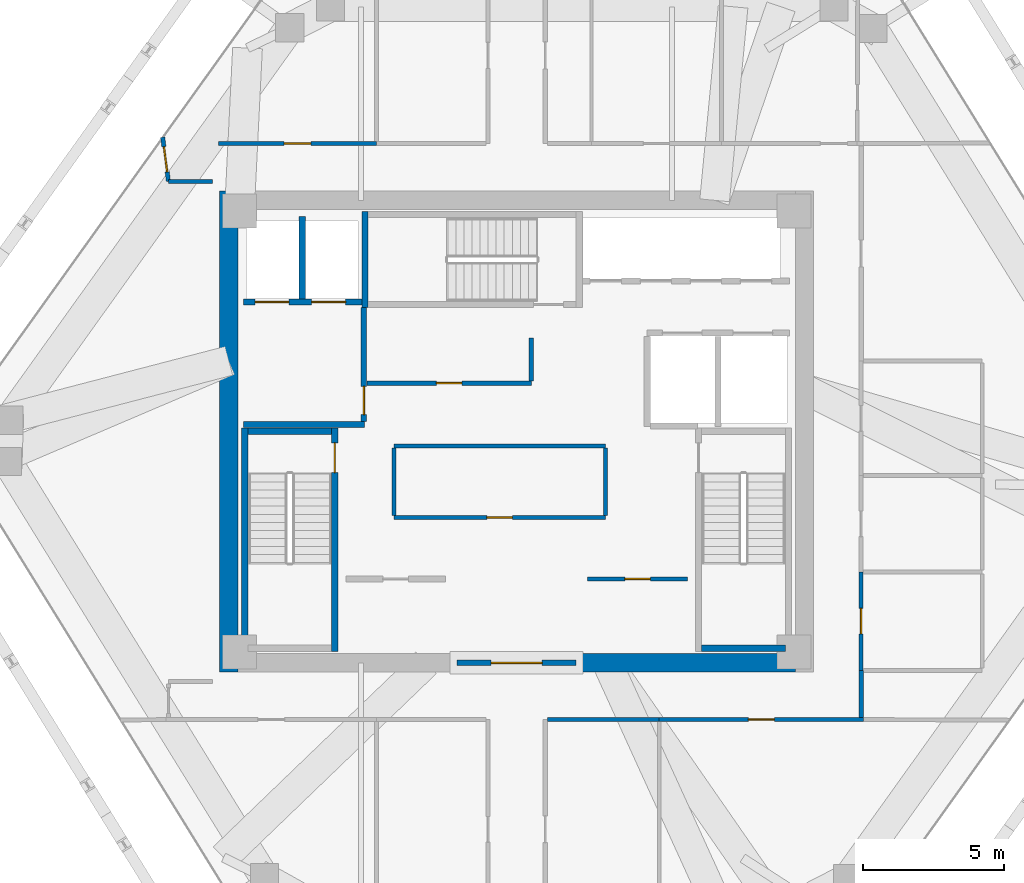
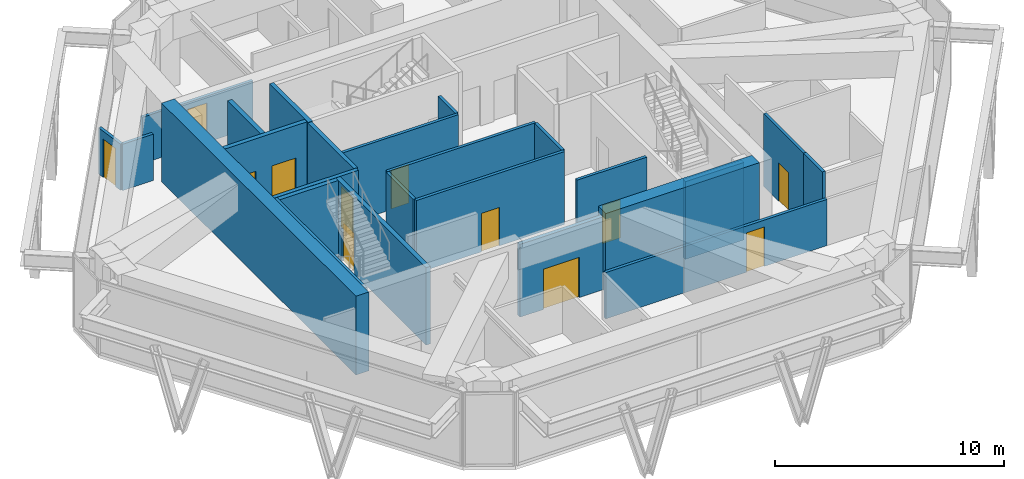
# One storey, part 8 of 11: 26 walls, 12 doors, 12 openings.
"""IFC4 building model written with IfcOpenShell, lengths in metres."""

from ifc_helpers import new_model, si_unit, direction, frame, frame_2d, origin, place, context, subcontext, project, spatial, rectangle, extrude, source, transform, mapped, material, layer, layer_set, type_object, type_shapes, element, fill, save


model = new_model("IFC4")

# Units and contexts
model_context = context("Model", 3, precision=1e-05, world=origin(), true_north=direction((0.0, 1.0)))
body_context = subcontext(model_context, "Body", "Model", "MODEL_VIEW")
ifc_project = project(units=[si_unit("LENGTHUNIT", "METRE"), si_unit("AREAUNIT", "SQUARE_METRE"), si_unit("VOLUMEUNIT", "CUBIC_METRE"), si_unit("PLANEANGLEUNIT", "RADIAN"), si_unit("MASSUNIT", "GRAM", prefix="KILO")], contexts=[model_context])

# Site, building, storey
site_placement = place(None, origin())
site = spatial("IfcSite", under=ifc_project, at=site_placement, CompositionType="ELEMENT")
building_placement = place(site_placement, origin())
building = spatial("IfcBuilding", under=site, at=building_placement, Name="Durnholm Broadcast Tower", CompositionType="ELEMENT")
storey_placement = place(building_placement, frame((0.0, 0.0, 209.199951171875)))
storey = spatial("IfcBuildingStorey", under=building, at=storey_placement, Name="L58", CompositionType="ELEMENT", Elevation=209.199951171875)

# Walls
ifc_material_1 = material(Name="Concrete C70/85", Category="concrete")
ifc_layer_1 = layer(ifc_material_1, 0.64990234375)
ifc_layer_set_1 = layer_set([ifc_layer_1], Name="Concrete C70/85")
wall_type_1 = type_object("IfcWallType", Name="WALL-CW-650", PredefinedType="SHEAR", material=ifc_layer_set_1)
wall_1_placement = place(storey_placement, frame((-10.175048828125, -8.5, 0.0), z_axis=(0.0, 0.0, 1.0), x_axis=(0.0, 1.0, 0.0)))
element("IfcWall", 1, at=wall_1_placement, inside=storey, type_object=wall_type_1, Name="L58 central core shear wall CW-WEST", PredefinedType="SHEAR", context=body_context, shape_type="SweptSolid", body=[
    extrude(rectangle(XDim=17.0, YDim=0.64990234375, at=frame_2d((8.5, 0.0))), origin(), (0.0, 0.0, 1.0), 4.199951171875),
])
wall_2_placement = place(storey_placement, frame((2.10009765625, -8.175048828125, 0.0), z_axis=(0.0, 0.0, 1.0), x_axis=(1.0, 0.0, 0.0)))
element("IfcWall", 2, at=wall_2_placement, inside=storey, type_object=wall_type_1, Name="L58 central core shear wall CW-S2", PredefinedType="SHEAR", context=body_context, shape_type="SweptSolid", body=[
    extrude(rectangle(XDim=7.75, YDim=0.64990234375, at=frame_2d((3.875, 0.0))), origin(), (0.0, 0.0, 1.0), 4.199951171875),
])

# Wall, opening, door
ifc_material_2 = material(Name="Fire-Rated Gypsum Shaftwall", Category="concrete")
ifc_layer_2 = layer(ifc_material_2, 0.199951171875)
ifc_layer_set_2 = layer_set([ifc_layer_2], Name="Fire-Rated Gypsum Shaftwall")
wall_type_2 = type_object("IfcWallType", Name="WALL-LOB-200", PredefinedType="SOLIDWALL", material=ifc_layer_set_2)
wall_3_placement = place(storey_placement, frame((-2.10009765625, -8.175048828125, 0.0), z_axis=(0.0, 0.0, 1.0), x_axis=(1.0, 0.0, 0.0)))
wall_3 = element("IfcWall", 3, at=wall_3_placement, inside=storey, type_object=wall_type_2, Name="L58 south core lobby fire screen", PredefinedType="SOLIDWALL", context=body_context, shape_type="SweptSolid", body=[
    extrude(rectangle(XDim=4.2001953125, YDim=0.199951171875, at=frame_2d((2.10009765625, 0.0))), origin(), (0.0, 0.0, 1.0), 3.885009765625),
])
opening_1_placement = place(wall_3_placement, frame((1.199951171875, 0.0, 0.0)))
opening_1 = element("IfcOpeningElement", 4, at=opening_1_placement, cuts=wall_3, Name="Opening DP-60", PredefinedType="OPENING", context=body_context, shape_type="SweptSolid", body=[
    extrude(rectangle(XDim=1.800048828125, YDim=2.14990234375, at=frame_2d((0.89990234375, 1.074951171875))), frame((0.0, 0.10986328125, 0.0), z_axis=(0.0, -1.0, 0.0), x_axis=(1.0, 0.0, 0.0)), (0.0, 0.0, 1.0), 0.219970703125),
])
ifc_material_3 = material(Name="Fire-Rated Double Corridor Door", Category="steel")
ifc_layer_3 = layer(ifc_material_3, 0.050048828125)
ifc_layer_set_3 = layer_set([ifc_layer_3], Name="Fire-Rated Double Corridor Door")
door_type_1 = type_object("IfcDoorType", Name="DOOR-PAIR-FD60", OperationType="DOUBLE_DOOR_SINGLE_SWING", PredefinedType="DOOR", material=ifc_layer_set_3)
shared_shape_1 = source(origin(), body_context, "Body", "SweptSolid", [
    extrude(rectangle(XDim=1.800048828125, YDim=2.14990234375, at=frame_2d((0.89990234375, 1.074951171875))), frame((0.0, 0.02490234375, 0.0), z_axis=(0.0, -1.0, 0.0), x_axis=(1.0, 0.0, 0.0)), (0.0, 0.0, 1.0), 0.050048828125),
])
type_shapes(door_type_1, [shared_shape_1])
door_1_placement = place(opening_1_placement, origin())
door_1 = element("IfcDoor", 5, at=door_1_placement, inside=storey, type_object=door_type_1, Name="L58 south core lobby double fire door", OperationType="DOUBLE_DOOR_SINGLE_SWING", OverallHeight=2.14990234375, OverallWidth=1.800048828125, PredefinedType="DOOR", context=body_context, shape_type="MappedRepresentation", body=[
    mapped(shared_shape_1, transform((0.0, 0.0, 0.0), x_axis=(1.0, 0.0, 0.0), y_axis=(0.0, 1.0, 0.0), z_axis=(0.0, 0.0, 1.0), scale=1.0)),
])
fill(opening_1, door_1)

# Wall
wall_4_placement = place(storey_placement, frame((-9.64990234375, 0.25, 0.0), z_axis=(0.0, 0.0, 1.0), x_axis=(1.0, 0.0, 0.0)))
element("IfcWall", 6, at=wall_4_placement, inside=storey, type_object=wall_type_2, Name="L58 Fire Service Access Elevator lobby south wall", PredefinedType="SOLIDWALL", context=body_context, shape_type="SweptSolid", body=[
    extrude(rectangle(XDim=4.27001953125, YDim=0.199951171875, at=frame_2d((2.135009765625, 0.0))), origin(), (0.0, 0.0, 1.0), 3.885009765625),
])

# Wall, opening, door
wall_5_placement = place(storey_placement, frame((-5.39990234375, 0.35400390625, 0.0), z_axis=(0.0, 0.0, 1.0), x_axis=(0.0, 1.0, 0.0)))
wall_5 = element("IfcWall", 7, at=wall_5_placement, inside=storey, type_object=wall_type_2, Name="L58 Fire Service Access Elevator lobby east fire wall", PredefinedType="SOLIDWALL", context=body_context, shape_type="SweptSolid", body=[
    extrude(rectangle(XDim=4.02587890625, YDim=0.199951171875, at=frame_2d((2.012939453125, 0.0))), origin(), (0.0, 0.0, 1.0), 3.885009765625),
])
opening_2_placement = place(wall_5_placement, frame((0.24609375, 0.0, 0.0)))
opening_2 = element("IfcOpeningElement", 8, at=opening_2_placement, cuts=wall_5, Name="Opening DL-60L", PredefinedType="OPENING", context=body_context, shape_type="SweptSolid", body=[
    extrude(rectangle(XDim=1.0, YDim=2.14990234375, at=frame_2d((0.5, 1.074951171875))), frame((0.0, 0.10986328125, 0.0), z_axis=(0.0, -1.0, 0.0), x_axis=(1.0, 0.0, 0.0)), (0.0, 0.0, 1.0), 0.219970703125),
])
ifc_material_4 = material(Name="Fire-Rated Timber/Steel Door", Category="steel")
ifc_layer_4 = layer(ifc_material_4, 0.050048828125)
ifc_layer_set_4 = layer_set([ifc_layer_4], Name="Fire-Rated Timber/Steel Door")
door_type_2 = type_object("IfcDoorType", Name="DOOR-LOB-FD60-L", OperationType="NOTDEFINED", PredefinedType="DOOR", material=ifc_layer_set_4)
shared_shape_2 = source(origin(), body_context, "Body", "SweptSolid", [
    extrude(rectangle(XDim=1.0, YDim=2.14990234375, at=frame_2d((0.5, 1.074951171875))), frame((0.0, 0.02490234375, 0.0), z_axis=(0.0, -1.0, 0.0), x_axis=(1.0, 0.0, 0.0)), (0.0, 0.0, 1.0), 0.050048828125),
])
type_shapes(door_type_2, [shared_shape_2])
door_2_placement = place(opening_2_placement, origin())
door_2 = element("IfcDoor", 9, at=door_2_placement, inside=storey, type_object=door_type_2, Name="L58 Fire Service Access Elevator lobby smoke door", OperationType="SINGLE_SWING_LEFT", OverallHeight=2.14990234375, OverallWidth=1.0, PredefinedType="DOOR", context=body_context, shape_type="MappedRepresentation", body=[
    mapped(shared_shape_2, transform((0.0, 0.0, 0.0), x_axis=(1.0, 0.0, 0.0), y_axis=(0.0, 1.0, 0.0), z_axis=(0.0, 0.0, 1.0), scale=1.0)),
])
fill(opening_2, door_2)

ifc_material_5 = material(Name="Acoustic Gypsum Stud Partition", Category="concrete")
ifc_layer_5 = layer(ifc_material_5, 0.14990234375)
ifc_layer_set_5 = layer_set([ifc_layer_5], Name="Acoustic Gypsum Stud Partition")
wall_type_3 = type_object("IfcWallType", Name="WALL-PART-150", PredefinedType="PARTITIONING", material=ifc_layer_set_5)
wall_6_placement = place(storey_placement, frame((2.510009765625, -5.2099609375, 0.0), z_axis=(0.0, 0.0, 1.0), x_axis=(1.0, 0.0, 0.0)))
wall_6 = element("IfcWall", 10, at=wall_6_placement, inside=storey, type_object=wall_type_3, Name="L58 Editorial Beverage Pantry corridor partition", PredefinedType="PARTITIONING", context=body_context, shape_type="SweptSolid", body=[
    extrude(rectangle(XDim=3.530029296875, YDim=0.14990234375, at=frame_2d((1.76513671875, 0.0))), origin(), (0.0, 0.0, 1.0), 3.885009765625),
])
opening_3_placement = place(wall_6_placement, frame((1.31494140625, 0.0, 0.0)))
opening_3 = element("IfcOpeningElement", 11, at=opening_3_placement, cuts=wall_6, Name="Opening DC-60L", PredefinedType="OPENING", context=body_context, shape_type="SweptSolid", body=[
    extrude(rectangle(XDim=0.89990234375, YDim=2.050048828125, at=frame_2d((0.449951171875, 1.02490234375))), frame((0.0, 0.0849609375, 0.0), z_axis=(0.0, -1.0, 0.0), x_axis=(1.0, 0.0, 0.0)), (0.0, 0.0, 1.0), 0.169921875),
])
ifc_material_6 = material(Name="Fire-Rated Core Service Door", Category="steel")
ifc_layer_6 = layer(ifc_material_6, 0.050048828125)
ifc_layer_set_6 = layer_set([ifc_layer_6], Name="Fire-Rated Core Service Door")
door_type_3 = type_object("IfcDoorType", Name="DOOR-CORE-FD60-L", OperationType="NOTDEFINED", PredefinedType="DOOR", material=ifc_layer_set_6)
shared_shape_3 = source(origin(), body_context, "Body", "SweptSolid", [
    extrude(rectangle(XDim=0.89990234375, YDim=2.050048828125, at=frame_2d((0.449951171875, 1.02490234375))), frame((0.0, 0.02490234375, 0.0), z_axis=(0.0, -1.0, 0.0), x_axis=(1.0, 0.0, 0.0)), (0.0, 0.0, 1.0), 0.050048828125),
])
type_shapes(door_type_3, [shared_shape_3])
door_3_placement = place(opening_3_placement, origin())
door_3 = element("IfcDoor", 12, at=door_3_placement, inside=storey, type_object=door_type_3, Name="L58 Editorial Beverage Pantry entrance door", OperationType="SINGLE_SWING_LEFT", OverallHeight=2.050048828125, OverallWidth=0.89990234375, PredefinedType="DOOR", context=body_context, shape_type="MappedRepresentation", body=[
    mapped(shared_shape_3, transform((0.0, 0.0, 0.0), x_axis=(1.0, 0.0, 0.0), y_axis=(0.0, 1.0, 0.0), z_axis=(0.0, 0.0, 1.0), scale=1.0)),
])
fill(opening_3, door_3)

wall_7_placement = place(storey_placement, frame((3.139892578125, -3.0400390625, 0.0), z_axis=(0.0, 0.0, 1.0), x_axis=(-1.0, 0.0, 0.0)))
wall_7 = element("IfcWall", 13, at=wall_7_placement, inside=storey, type_object=wall_type_3, Name="L58 Broadcast Equipment Pantry corridor partition", PredefinedType="PARTITIONING", context=body_context, shape_type="SweptSolid", body=[
    extrude(rectangle(XDim=7.47998046875, YDim=0.14990234375, at=frame_2d((3.739990234375, 0.0))), origin(), (0.0, 0.0, 1.0), 3.885009765625),
])
opening_4_placement = place(wall_7_placement, frame((3.2900390625, 0.0, 0.0)))
opening_4 = element("IfcOpeningElement", 14, at=opening_4_placement, cuts=wall_7, Name="Opening DC-60R", PredefinedType="OPENING", context=body_context, shape_type="SweptSolid", body=[
    extrude(rectangle(XDim=0.89990234375, YDim=2.050048828125, at=frame_2d((0.449951171875, 1.02490234375))), frame((0.0, 0.0849609375, 0.0), z_axis=(0.0, -1.0, 0.0), x_axis=(1.0, 0.0, 0.0)), (0.0, 0.0, 1.0), 0.169921875),
])
ifc_layer_7 = layer(ifc_material_6, 0.050048828125)
ifc_layer_set_7 = layer_set([ifc_layer_7], Name="Fire-Rated Core Service Door")
door_type_4 = type_object("IfcDoorType", Name="DOOR-CORE-FD60-R", OperationType="NOTDEFINED", PredefinedType="DOOR", material=ifc_layer_set_7)
shared_shape_4 = source(origin(), body_context, "Body", "SweptSolid", [
    extrude(rectangle(XDim=0.89990234375, YDim=2.050048828125, at=frame_2d((0.449951171875, 1.02490234375))), frame((0.0, 0.02490234375, 0.0), z_axis=(0.0, -1.0, 0.0), x_axis=(1.0, 0.0, 0.0)), (0.0, 0.0, 1.0), 0.050048828125),
])
type_shapes(door_type_4, [shared_shape_4])
door_4_placement = place(opening_4_placement, origin())
door_4 = element("IfcDoor", 15, at=door_4_placement, inside=storey, type_object=door_type_4, Name="L58 Broadcast Equipment Pantry entrance door", OperationType="SINGLE_SWING_RIGHT", OverallHeight=2.050048828125, OverallWidth=0.89990234375, PredefinedType="DOOR", context=body_context, shape_type="MappedRepresentation", body=[
    mapped(shared_shape_4, transform((0.0, 0.0, 0.0), x_axis=(1.0, 0.0, 0.0), y_axis=(0.0, 1.0, 0.0), z_axis=(0.0, 0.0, 1.0), scale=1.0)),
])
fill(opening_4, door_4)

# Walls
wall_8_placement = place(storey_placement, frame((-4.340087890625, -0.510009765625, 0.0), z_axis=(0.0, 0.0, 1.0), x_axis=(1.0, 0.0, 0.0)))
element("IfcWall", 16, at=wall_8_placement, inside=storey, type_object=wall_type_3, Name="L58 Broadcast Equipment Pantry corridor partition", PredefinedType="PARTITIONING", context=body_context, shape_type="SweptSolid", body=[
    extrude(rectangle(XDim=7.47998046875, YDim=0.14990234375, at=frame_2d((3.739990234375, 0.0))), origin(), (0.0, 0.0, 1.0), 3.885009765625),
])
for number, where, z_axis, x_axis, name in (
    (17, (-4.340087890625, -2.9609375, 0.0), (0.0, 0.0, 1.0), (0.0, 1.0, 0.0), "L58 Broadcast Equipment Pantry corridor partition"),
    (18, (3.139892578125, -0.589111328125, 0.0), (0.0, 0.0, 1.0), (0.0, -1.0, 0.0), "L58 Broadcast Equipment Pantry corridor partition"),
):
    element("IfcWall", number, at=place(storey_placement, frame(where, z_axis=z_axis, x_axis=x_axis)), inside=storey, type_object=wall_type_3, Name=name, PredefinedType="PARTITIONING", context=body_context, shape_type="SweptSolid", body=[
        extrude(rectangle(XDim=2.371826171875, YDim=0.14990234375, at=frame_2d((1.18603515625, 0.0))), origin(), (0.0, 0.0, 1.0), 3.885009765625),
    ])

# Wall, opening, door
wall_9_placement = place(storey_placement, frame((0.52001953125, 1.7099609375, 0.0), z_axis=(0.0, 0.0, 1.0), x_axis=(-1.0, 0.0, 0.0)))
wall_9 = element("IfcWall", 19, at=wall_9_placement, inside=storey, type_object=wall_type_3, Name="L58 Core Housekeeping Room corridor partition", PredefinedType="PARTITIONING", context=body_context, shape_type="SweptSolid", body=[
    extrude(rectangle(XDim=5.81591796875, YDim=0.14990234375, at=frame_2d((2.907958984375, 0.0))), origin(), (0.0, 0.0, 1.0), 3.885009765625),
])
opening_5_placement = place(wall_9_placement, frame((2.4580078125, 0.0, 0.0)))
opening_5 = element("IfcOpeningElement", 20, at=opening_5_placement, cuts=wall_9, Name="Opening DC-60L", PredefinedType="OPENING", context=body_context, shape_type="SweptSolid", body=[
    extrude(rectangle(XDim=0.89990234375, YDim=2.050048828125, at=frame_2d((0.449951171875, 1.02490234375))), frame((0.0, 0.0849609375, 0.0), z_axis=(0.0, -1.0, 0.0), x_axis=(1.0, 0.0, 0.0)), (0.0, 0.0, 1.0), 0.169921875),
])
door_5_placement = place(opening_5_placement, origin())
door_5 = element("IfcDoor", 21, at=door_5_placement, inside=storey, type_object=door_type_3, Name="L58 Core Housekeeping Room entrance door", OperationType="SINGLE_SWING_LEFT", OverallHeight=2.050048828125, OverallWidth=0.89990234375, PredefinedType="DOOR", context=body_context, shape_type="MappedRepresentation", body=[
    mapped(shared_shape_3, transform((0.0, 0.0, 0.0), x_axis=(1.0, 0.0, 0.0), y_axis=(0.0, 1.0, 0.0), z_axis=(0.0, 0.0, 1.0), scale=1.0)),
])
fill(opening_5, door_5)

# Wall
wall_10_placement = place(storey_placement, frame((0.52001953125, 3.300048828125, 0.0), z_axis=(0.0, 0.0, 1.0), x_axis=(0.0, -1.0, 0.0)))
element("IfcWall", 22, at=wall_10_placement, inside=storey, type_object=wall_type_3, Name="L58 Core Housekeeping Room corridor partition", PredefinedType="PARTITIONING", context=body_context, shape_type="SweptSolid", body=[
    extrude(rectangle(XDim=1.510986328125, YDim=0.14990234375, at=frame_2d((0.75537109375, 0.0))), origin(), (0.0, 0.0, 1.0), 3.885009765625),
])

# Wall, opening, door
wall_11_placement = place(storey_placement, frame((-4.9599609375, 10.179931640625, 0.0), z_axis=(0.0, 0.0, 1.0), x_axis=(-1.0, 0.0, 0.0)))
wall_11 = element("IfcWall", 23, at=wall_11_placement, inside=storey, type_object=wall_type_3, Name="L58 Music Rights Office corridor partition", PredefinedType="PARTITIONING", context=body_context, shape_type="SweptSolid", body=[
    extrude(rectangle(XDim=5.580078125, YDim=0.14990234375, at=frame_2d((2.7900390625, 0.0))), origin(), (0.0, 0.0, 1.0), 2.469970703125),
])
opening_6_placement = place(wall_11_placement, frame((2.31494140625, 0.0, 0.0)))
opening_6 = element("IfcOpeningElement", 24, at=opening_6_placement, cuts=wall_11, Name="Opening DR-95L", PredefinedType="OPENING", context=body_context, shape_type="SweptSolid", body=[
    extrude(rectangle(XDim=0.949951171875, YDim=2.10009765625, at=frame_2d((0.47509765625, 1.050048828125))), frame((0.0, 0.0849609375, 0.0), z_axis=(0.0, -1.0, 0.0), x_axis=(1.0, 0.0, 0.0)), (0.0, 0.0, 1.0), 0.169921875),
])
ifc_material_7 = material(Name="Acoustic Oak Veneer Timber Door", Category="wood")
ifc_layer_8 = layer(ifc_material_7, 0.050048828125)
ifc_layer_set_8 = layer_set([ifc_layer_8], Name="Acoustic Oak Veneer Timber Door")
door_type_5 = type_object("IfcDoorType", Name="DOOR-RM-950L", OperationType="NOTDEFINED", PredefinedType="DOOR", material=ifc_layer_set_8)
shared_shape_5 = source(origin(), body_context, "Body", "SweptSolid", [
    extrude(rectangle(XDim=0.949951171875, YDim=2.10009765625, at=frame_2d((0.47509765625, 1.050048828125))), frame((0.0, 0.02490234375, 0.0), z_axis=(0.0, -1.0, 0.0), x_axis=(1.0, 0.0, 0.0)), (0.0, 0.0, 1.0), 0.050048828125),
])
type_shapes(door_type_5, [shared_shape_5])
door_6_placement = place(opening_6_placement, origin())
door_6 = element("IfcDoor", 25, at=door_6_placement, inside=storey, type_object=door_type_5, Name="L58 Music Rights Office entrance door", OperationType="SINGLE_SWING_LEFT", OverallHeight=2.10009765625, OverallWidth=0.949951171875, PredefinedType="DOOR", context=body_context, shape_type="MappedRepresentation", body=[
    mapped(shared_shape_5, transform((0.0, 0.0, 0.0), x_axis=(1.0, 0.0, 0.0), y_axis=(0.0, 1.0, 0.0), z_axis=(0.0, 0.0, 1.0), scale=1.0)),
])
fill(opening_6, door_6)

# Wall
wall_12_placement = place(storey_placement, frame((1.089111328125, -10.179931640625, 0.0), z_axis=(0.0, 0.0, 1.0), x_axis=(1.0, 0.0, 0.0)))
element("IfcWall", 26, at=wall_12_placement, inside=storey, type_object=wall_type_3, Name="L58 Music Rights Office corridor partition", PredefinedType="PARTITIONING", context=body_context, shape_type="SweptSolid", body=[
    extrude(rectangle(XDim=3.950927734375, YDim=0.14990234375, at=frame_2d((1.9755859375, 0.0))), origin(), (0.0, 0.0, 1.0), 2.469970703125),
])

# Wall, opening, door
wall_13_placement = place(storey_placement, frame((5.0400390625, -10.179931640625, 0.0), z_axis=(0.0, 0.0, 1.0), x_axis=(1.0, 0.0, 0.0)))
wall_13 = element("IfcWall", 27, at=wall_13_placement, inside=storey, type_object=wall_type_3, Name="L58 Soundtrack Mixing Office corridor partition", PredefinedType="PARTITIONING", context=body_context, shape_type="SweptSolid", body=[
    extrude(rectangle(XDim=7.219970703125, YDim=0.14990234375, at=frame_2d((3.60986328125, 0.0))), origin(), (0.0, 0.0, 1.0), 2.469970703125),
])
opening_7_placement = place(wall_13_placement, frame((3.14990234375, 0.0, 0.0)))
opening_7 = element("IfcOpeningElement", 28, at=opening_7_placement, cuts=wall_13, Name="Opening DR-92R", PredefinedType="OPENING", context=body_context, shape_type="SweptSolid", body=[
    extrude(rectangle(XDim=0.919921875, YDim=2.10009765625, at=frame_2d((0.4599609375, 1.050048828125))), frame((0.0, 0.0849609375, 0.0), z_axis=(0.0, -1.0, 0.0), x_axis=(1.0, 0.0, 0.0)), (0.0, 0.0, 1.0), 0.169921875),
])
ifc_material_8 = material(Name="Oak Veneer Office Door", Category="wood")
ifc_layer_9 = layer(ifc_material_8, 0.050048828125)
ifc_layer_set_9 = layer_set([ifc_layer_9], Name="Oak Veneer Office Door")
door_type_6 = type_object("IfcDoorType", Name="DOOR-RM-920R", OperationType="NOTDEFINED", PredefinedType="DOOR", material=ifc_layer_set_9)
shared_shape_6 = source(origin(), body_context, "Body", "SweptSolid", [
    extrude(rectangle(XDim=0.919921875, YDim=2.10009765625, at=frame_2d((0.4599609375, 1.050048828125))), frame((0.0, 0.02490234375, 0.0), z_axis=(0.0, -1.0, 0.0), x_axis=(1.0, 0.0, 0.0)), (0.0, 0.0, 1.0), 0.050048828125),
])
type_shapes(door_type_6, [shared_shape_6])
door_7_placement = place(opening_7_placement, origin())
door_7 = element("IfcDoor", 29, at=door_7_placement, inside=storey, type_object=door_type_6, Name="L58 Soundtrack Mixing Office entrance door", OperationType="SINGLE_SWING_RIGHT", OverallHeight=2.10009765625, OverallWidth=0.919921875, PredefinedType="DOOR", context=body_context, shape_type="MappedRepresentation", body=[
    mapped(shared_shape_6, transform((0.0, 0.0, 0.0), x_axis=(1.0, 0.0, 0.0), y_axis=(0.0, 1.0, 0.0), z_axis=(0.0, 0.0, 1.0), scale=1.0)),
])
fill(opening_7, door_7)

# Wall
wall_14_placement = place(storey_placement, frame((-12.31005859375, 8.840087890625, 0.0), z_axis=(0.0, 0.0, 1.0), x_axis=(1.0, 0.0, 0.0)))
element("IfcWall", 30, at=wall_14_placement, inside=storey, type_object=wall_type_3, Name="L58 Composer Office 1 corridor partition", PredefinedType="PARTITIONING", context=body_context, shape_type="SweptSolid", body=[
    extrude(rectangle(XDim=1.550048828125, YDim=0.14990234375, at=frame_2d((0.77490234375, 0.0))), origin(), (0.0, 0.0, 1.0), 2.469970703125),
])

# Wall, opening, door
wall_15_placement = place(storey_placement, frame((-12.514404296875, 10.40625, 0.0), z_axis=(0.0, 0.0, 1.0), x_axis=(0.129378833178, -0.991595238757, 0.0)))
wall_15 = element("IfcWall", 31, at=wall_15_placement, inside=storey, type_object=wall_type_3, Name="L58 Composer Office 1 corridor partition", PredefinedType="PARTITIONING", context=body_context, shape_type="SweptSolid", body=[
    extrude(rectangle(XDim=1.579345703125, YDim=0.14990234375, at=frame_2d((0.78955078125, 0.0))), origin(), (0.0, 0.0, 1.0), 2.469970703125),
])
opening_8_placement = place(wall_15_placement, frame((0.33984375, 0.0, 0.0)))
opening_8 = element("IfcOpeningElement", 32, at=opening_8_placement, cuts=wall_15, Name="Opening DW-90L", PredefinedType="OPENING", context=body_context, shape_type="SweptSolid", body=[
    extrude(rectangle(XDim=0.89990234375, YDim=2.050048828125, at=frame_2d((0.449951171875, 1.02490234375))), frame((0.0, 0.0849609375, 0.0), z_axis=(0.0, -1.0, 0.0), x_axis=(1.0, 0.0, 0.0)), (0.0, 0.0, 1.0), 0.169921875),
])
ifc_material_9 = material(Name="Laminate Restroom Door", Category="steel")
ifc_layer_10 = layer(ifc_material_9, 0.050048828125)
ifc_layer_set_10 = layer_set([ifc_layer_10], Name="Laminate Restroom Door")
door_type_7 = type_object("IfcDoorType", Name="DOOR-WC-900L", OperationType="NOTDEFINED", PredefinedType="DOOR", material=ifc_layer_set_10)
shared_shape_7 = source(origin(), body_context, "Body", "SweptSolid", [
    extrude(rectangle(XDim=0.89990234375, YDim=2.050048828125, at=frame_2d((0.449951171875, 1.02490234375))), frame((0.0, 0.02490234375, 0.0), z_axis=(0.0, -1.0, 0.0), x_axis=(1.0, 0.0, 0.0)), (0.0, 0.0, 1.0), 0.050048828125),
])
type_shapes(door_type_7, [shared_shape_7])
door_8_placement = place(opening_8_placement, origin())
door_8 = element("IfcDoor", 33, at=door_8_placement, inside=storey, type_object=door_type_7, Name="L58 Composer Office 1 entrance door", OperationType="SINGLE_SWING_LEFT", OverallHeight=2.050048828125, OverallWidth=0.89990234375, PredefinedType="DOOR", context=body_context, shape_type="MappedRepresentation", body=[
    mapped(shared_shape_7, transform((0.0, 0.0, 0.0), x_axis=(1.0, 0.0, 0.0), y_axis=(0.0, 1.0, 0.0), z_axis=(0.0, 0.0, 1.0), scale=1.0)),
])
fill(opening_8, door_8)

# Wall
wall_16_placement = place(storey_placement, frame((12.179931640625, -10.10107421875, 0.0), z_axis=(0.0, 0.0, 1.0), x_axis=(0.0, 1.0, 0.0)))
element("IfcWall", 34, at=wall_16_placement, inside=storey, type_object=wall_type_3, Name="L58 Composer Office 2 corridor partition", PredefinedType="PARTITIONING", context=body_context, shape_type="SweptSolid", body=[
    extrude(rectangle(XDim=1.6611328125, YDim=0.14990234375, at=frame_2d((0.83056640625, 0.0))), origin(), (0.0, 0.0, 1.0), 3.885009765625),
])

# Wall, openings, doors
ifc_material_10 = material(Name="Concrete Blockwork C30/37", Category="masonry")
ifc_layer_11 = layer(ifc_material_10, 0.219970703125)
ifc_layer_set_11 = layer_set([ifc_layer_11], Name="Concrete Blockwork C30/37")
wall_type_4 = type_object("IfcWallType", Name="WALL-SHAFT-220", PredefinedType="SOLIDWALL", material=ifc_layer_set_11)
wall_17_placement = place(storey_placement, frame((-9.64990234375, 4.580078125, 0.0), z_axis=(0.0, 0.0, 1.0), x_axis=(1.0, 0.0, 0.0)))
wall_17 = element("IfcWall", 35, at=wall_17_placement, inside=storey, type_object=wall_type_4, Name="L58 FSAE hoistway front fire wall", PredefinedType="SOLIDWALL", context=body_context, shape_type="SweptSolid", body=[
    extrude(rectangle(XDim=4.1748046875, YDim=0.219970703125, at=frame_2d((2.08740234375, 0.0))), origin(), (0.0, 0.0, 1.0), 3.885009765625),
])
opening_9_placement = place(wall_17_placement, frame((0.39990234375, 0.0, 0.0)))
opening_9 = element("IfcOpeningElement", 36, at=opening_9_placement, cuts=wall_17, Name="Opening LD-FSAE-2", PredefinedType="OPENING", context=body_context, shape_type="SweptSolid", body=[
    extrude(rectangle(XDim=1.199951171875, YDim=2.14990234375, at=frame_2d((0.60009765625, 1.074951171875))), frame((0.0, 0.1201171875, 0.0), z_axis=(0.0, -1.0, 0.0), x_axis=(1.0, 0.0, 0.0)), (0.0, 0.0, 1.0), 0.239990234375),
])
opening_10_placement = place(wall_17_placement, frame((2.39990234375, 0.0, 0.0)))
opening_10 = element("IfcOpeningElement", 37, at=opening_10_placement, cuts=wall_17, Name="Opening LD-FSAE-1", PredefinedType="OPENING", context=body_context, shape_type="SweptSolid", body=[
    extrude(rectangle(XDim=1.199951171875, YDim=2.14990234375, at=frame_2d((0.60009765625, 1.074951171875))), frame((0.0, 0.1201171875, 0.0), z_axis=(0.0, -1.0, 0.0), x_axis=(1.0, 0.0, 0.0)), (0.0, 0.0, 1.0), 0.239990234375),
])
ifc_material_11 = material(Name="Fire Service Access Sliding Landing Door", Category="steel")
ifc_layer_12 = layer(ifc_material_11, 0.050048828125)
ifc_layer_set_12 = layer_set([ifc_layer_12], Name="Fire Service Access Sliding Landing Door")
door_type_8 = type_object("IfcDoorType", Name="DOOR-LIFT-FSAE", OperationType="DOUBLE_DOOR_SLIDING", PredefinedType="DOOR", material=ifc_layer_set_12)
shared_shape_8 = source(origin(), body_context, "Body", "SweptSolid", [
    extrude(rectangle(XDim=1.199951171875, YDim=2.14990234375, at=frame_2d((0.60009765625, 1.074951171875))), frame((0.0, 0.02490234375, 0.0), z_axis=(0.0, -1.0, 0.0), x_axis=(1.0, 0.0, 0.0)), (0.0, 0.0, 1.0), 0.050048828125),
])
type_shapes(door_type_8, [shared_shape_8])
door_9_placement = place(opening_9_placement, origin())
door_9 = element("IfcDoor", 38, at=door_9_placement, inside=storey, type_object=door_type_8, Name="L58 Fire Service Access Elevator FSAE-2 sliding landing door", OperationType="DOUBLE_DOOR_SLIDING", OverallHeight=2.14990234375, OverallWidth=1.199951171875, PredefinedType="DOOR", context=body_context, shape_type="MappedRepresentation", body=[
    mapped(shared_shape_8, transform((0.0, 0.0, 0.0), x_axis=(1.0, 0.0, 0.0), y_axis=(0.0, 1.0, 0.0), z_axis=(0.0, 0.0, 1.0), scale=1.0)),
])
fill(opening_9, door_9)
door_10_placement = place(opening_10_placement, origin())
door_10 = element("IfcDoor", 39, at=door_10_placement, inside=storey, type_object=door_type_8, Name="L58 Fire Service Access Elevator FSAE-1 sliding landing door", OperationType="DOUBLE_DOOR_SLIDING", OverallHeight=2.14990234375, OverallWidth=1.199951171875, PredefinedType="DOOR", context=body_context, shape_type="MappedRepresentation", body=[
    mapped(shared_shape_8, transform((0.0, 0.0, 0.0), x_axis=(1.0, 0.0, 0.0), y_axis=(0.0, 1.0, 0.0), z_axis=(0.0, 0.0, 1.0), scale=1.0)),
])
fill(opening_10, door_10)

# Wall
wall_18_placement = place(storey_placement, frame((-7.580078125, 4.694091796875, 0.0), z_axis=(0.0, 0.0, 1.0), x_axis=(0.0, 1.0, 0.0)))
element("IfcWall", 40, at=wall_18_placement, inside=storey, type_object=wall_type_4, Name="L58 FSAE shaft divider wall", PredefinedType="SOLIDWALL", context=body_context, shape_type="SweptSolid", body=[
    extrude(rectangle(XDim=2.906005859375, YDim=0.219970703125, at=frame_2d((1.453125, 0.0))), origin(), (0.0, 0.0, 1.0), 3.885009765625),
])

# Wall, opening, door
ifc_material_12 = material(Name="Concrete C50/60", Category="concrete")
ifc_layer_13 = layer(ifc_material_12, 0.219970703125)
ifc_layer_set_13 = layer_set([ifc_layer_13], Name="Concrete C50/60")
wall_type_5 = type_object("IfcWallType", Name="WALL-SW-220", PredefinedType="SHEAR", material=ifc_layer_set_13)
wall_19_placement = place(storey_placement, frame((-6.429931640625, -7.77001953125, -0.239990234375), z_axis=(0.0, 0.0, 1.0), x_axis=(0.0, 1.0, 0.0)))
wall_19 = element("IfcWall", 41, at=wall_19_placement, inside=storey, type_object=wall_type_5, Name="L58 stair ST-1 structural shaft wall E", PredefinedType="SHEAR", context=body_context, shape_type="SweptSolid", body=[
    extrude(rectangle(XDim=7.89013671875, YDim=0.219970703125, at=frame_2d((3.945068359375, 0.0))), origin(), (0.0, 0.0, 1.0), 4.14013671875),
])
opening_11_placement = place(wall_19_placement, frame((6.320068359375, 0.0, 0.0)))
opening_11 = element("IfcOpeningElement", 42, at=opening_11_placement, cuts=wall_19, Name="Opening DS-90L", PredefinedType="OPENING", context=body_context, shape_type="SweptSolid", body=[
    extrude(rectangle(XDim=1.050048828125, YDim=2.14990234375, at=frame_2d((0.52490234375, 1.074951171875))), frame((0.0, 0.1201171875, 0.0), z_axis=(0.0, -1.0, 0.0), x_axis=(1.0, 0.0, 0.0)), (0.0, 0.0, 1.0), 0.239990234375),
])
ifc_material_13 = material(Name="Fire-Rated Steel Door", Category="steel")
ifc_layer_14 = layer(ifc_material_13, 0.050048828125)
ifc_layer_set_14 = layer_set([ifc_layer_14], Name="Fire-Rated Steel Door")
door_type_9 = type_object("IfcDoorType", Name="DOOR-ST-FD90-L", OperationType="NOTDEFINED", PredefinedType="DOOR", material=ifc_layer_set_14)
shared_shape_9 = source(origin(), body_context, "Body", "SweptSolid", [
    extrude(rectangle(XDim=1.050048828125, YDim=2.14990234375, at=frame_2d((0.52490234375, 1.074951171875))), frame((0.0, 0.02490234375, 0.0), z_axis=(0.0, -1.0, 0.0), x_axis=(1.0, 0.0, 0.0)), (0.0, 0.0, 1.0), 0.050048828125),
])
type_shapes(door_type_9, [shared_shape_9])
door_11_placement = place(opening_11_placement, origin())
door_11 = element("IfcDoor", 43, at=door_11_placement, inside=storey, type_object=door_type_9, Name="L58 exit stair ST-1 fire door", OperationType="SINGLE_SWING_LEFT", OverallHeight=2.14990234375, OverallWidth=1.050048828125, PredefinedType="DOOR", context=body_context, shape_type="MappedRepresentation", body=[
    mapped(shared_shape_9, transform((0.0, 0.0, 0.0), x_axis=(1.0, 0.0, 0.0), y_axis=(0.0, 1.0, 0.0), z_axis=(0.0, 0.0, 1.0), scale=1.0)),
])
fill(opening_11, door_11)

# Walls
wall_20_placement = place(storey_placement, frame((-9.610107421875, 0.1201171875, -0.239990234375), z_axis=(0.0, 0.0, 1.0), x_axis=(0.0, -1.0, 0.0)))
element("IfcWall", 44, at=wall_20_placement, inside=storey, type_object=wall_type_5, Name="L58 stair ST-1 structural shaft wall W", PredefinedType="SHEAR", context=body_context, shape_type="SweptSolid", body=[
    extrude(rectangle(XDim=7.89013671875, YDim=0.219970703125, at=frame_2d((3.945068359375, 0.0))), origin(), (0.0, 0.0, 1.0), 4.14013671875),
])
for number, where, z_axis, x_axis, name in (
    (45, (-6.5400390625, 0.010009765625, -0.239990234375), (0.0, 0.0, 1.0), (-1.0, 0.0, 0.0), "L58 stair ST-1 structural shaft wall N"),
    (46, (6.5400390625, -7.659912109375, -0.239990234375), (0.0, 0.0, 1.0), (1.0, 0.0, 0.0), "L58 stair ST-2 structural shaft wall S"),
):
    element("IfcWall", number, at=place(storey_placement, frame(where, z_axis=z_axis, x_axis=x_axis)), inside=storey, type_object=wall_type_5, Name=name, PredefinedType="SHEAR", context=body_context, shape_type="SweptSolid", body=[
        extrude(rectangle(XDim=2.9599609375, YDim=0.219970703125, at=frame_2d((1.47998046875, 0.0))), origin(), (0.0, 0.0, 1.0), 4.14013671875),
    ])
wall_21_placement = place(storey_placement, frame((-5.360107421875, 7.780029296875, -0.239990234375), z_axis=(0.0, 0.0, 1.0), x_axis=(0.0, -1.0, 0.0)))
element("IfcWall", 47, at=wall_21_placement, inside=storey, type_object=wall_type_5, Name="L58 stair ST-3 structural shaft wall W", PredefinedType="SHEAR", context=body_context, shape_type="SweptSolid", body=[
    extrude(rectangle(XDim=3.400146484375, YDim=0.219970703125, at=frame_2d((1.7001953125, 0.0))), origin(), (0.0, 0.0, 1.0), 4.14013671875),
])

# Wall, opening, door
ifc_material_14 = material(Name="Moisture-Resistant Tile Partition", Category="concrete")
ifc_layer_15 = layer(ifc_material_14, 0.139892578125)
ifc_layer_set_15 = layer_set([ifc_layer_15], Name="Moisture-Resistant Tile Partition")
wall_type_6 = type_object("IfcWallType", Name="WALL-WC-140", PredefinedType="PARTITIONING", material=ifc_layer_set_15)
wall_22_placement = place(storey_placement, frame((12.179931640625, -8.43994140625, 0.0), z_axis=(0.0, 0.0, 1.0), x_axis=(0.0, 1.0, 0.0)))
wall_22 = element("IfcWall", 48, at=wall_22_placement, inside=storey, type_object=wall_type_6, Name="L58 Men's Restroom corridor partition", PredefinedType="PARTITIONING", context=body_context, shape_type="SweptSolid", body=[
    extrude(rectangle(XDim=3.47998046875, YDim=0.139892578125, at=frame_2d((1.739990234375, 0.0))), origin(), (0.0, 0.0, 1.0), 3.885009765625),
])
opening_12_placement = place(wall_22_placement, frame((1.2900390625, 0.0, 0.0)))
opening_12 = element("IfcOpeningElement", 49, at=opening_12_placement, cuts=wall_22, Name="Opening DW-90R", PredefinedType="OPENING", context=body_context, shape_type="SweptSolid", body=[
    extrude(rectangle(XDim=0.89990234375, YDim=2.050048828125, at=frame_2d((0.449951171875, 1.02490234375))), frame((0.0, 0.080078125, 0.0), z_axis=(0.0, -1.0, 0.0), x_axis=(1.0, 0.0, 0.0)), (0.0, 0.0, 1.0), 0.159912109375),
])
ifc_layer_16 = layer(ifc_material_9, 0.050048828125)
ifc_layer_set_16 = layer_set([ifc_layer_16], Name="Laminate Restroom Door")
door_type_10 = type_object("IfcDoorType", Name="DOOR-WC-900R", OperationType="NOTDEFINED", PredefinedType="DOOR", material=ifc_layer_set_16)
shared_shape_10 = source(origin(), body_context, "Body", "SweptSolid", [
    extrude(rectangle(XDim=0.89990234375, YDim=2.050048828125, at=frame_2d((0.449951171875, 1.02490234375))), frame((0.0, 0.02490234375, 0.0), z_axis=(0.0, -1.0, 0.0), x_axis=(1.0, 0.0, 0.0)), (0.0, 0.0, 1.0), 0.050048828125),
])
type_shapes(door_type_10, [shared_shape_10])
door_12_placement = place(opening_12_placement, origin())
door_12 = element("IfcDoor", 50, at=door_12_placement, inside=storey, type_object=door_type_10, Name="L58 Men's Restroom entrance door", OperationType="SINGLE_SWING_RIGHT", OverallHeight=2.050048828125, OverallWidth=0.89990234375, PredefinedType="DOOR", context=body_context, shape_type="MappedRepresentation", body=[
    mapped(shared_shape_10, transform((0.0, 0.0, 0.0), x_axis=(1.0, 0.0, 0.0), y_axis=(0.0, 1.0, 0.0), z_axis=(0.0, 0.0, 1.0), scale=1.0)),
])
fill(opening_12, door_12)

save(model, "model.ifc")
